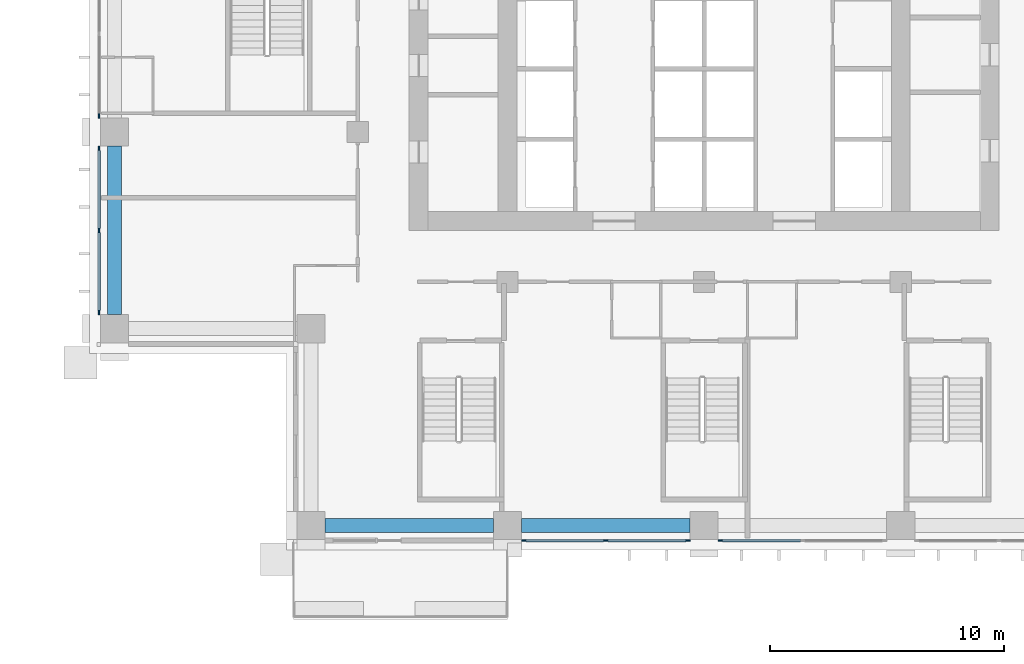
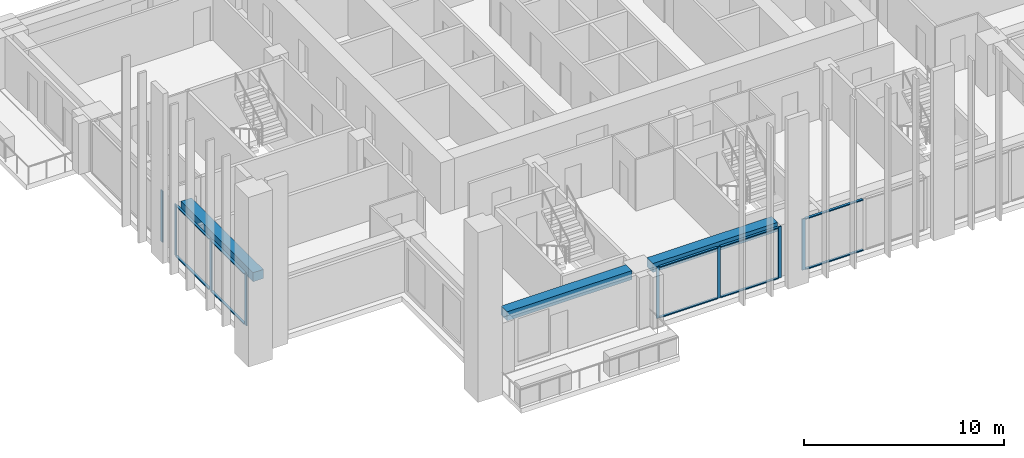
# One storey, part 2 of 18: 18 members, 3 beams, 4 elements without a shape of their own.
"""IFC4 building model written with IfcOpenShell, lengths in metres."""

from ifc_helpers import new_model, si_unit, direction, frame, origin, origin_2d, place, context, subcontext, project, spatial, rectangle, extrude, material, material_profile, profile_set, type_object, element, aggregate, save


model = new_model("IFC4")

# Units and contexts
model_context = context("Model", 3, precision=1e-05, world=origin(), true_north=direction((0.0, 1.0)))
body_context = subcontext(model_context, "Body", "Model", "MODEL_VIEW")
ifc_project = project(units=[si_unit("LENGTHUNIT", "METRE"), si_unit("AREAUNIT", "SQUARE_METRE"), si_unit("VOLUMEUNIT", "CUBIC_METRE"), si_unit("PLANEANGLEUNIT", "RADIAN"), si_unit("MASSUNIT", "GRAM", prefix="KILO")], contexts=[model_context])

# Site, building, storey
site_placement = place(None, origin())
site = spatial("IfcSite", under=ifc_project, at=site_placement, CompositionType="ELEMENT")
building_placement = place(site_placement, origin())
building = spatial("IfcBuilding", under=site, at=building_placement, Name="Vermilion Ogive Tower", CompositionType="ELEMENT")
storey_placement = place(building_placement, frame((0.0, 0.0, 80.39990234375)))
storey = spatial("IfcBuildingStorey", under=building, at=storey_placement, Name="L19", CompositionType="ELEMENT", Elevation=80.39990234375)

# Curtain wall, members
ifc_material_1 = material(Name="Low-iron laminated glazing in aluminium frame", Category="aluminium")
curtain_wall_type = type_object("IfcCurtainWallType", Name="Curtain wall CW7", PredefinedType="NOTDEFINED", material=ifc_material_1)
curtain_wall_1_placement = place(storey_placement, origin())
curtain_wall_1 = element("IfcCurtainWall", 1, at=curtain_wall_1_placement, inside=storey, type_object=curtain_wall_type, Name="Glazed skin S2", PredefinedType="NOTDEFINED")
ifc_material_2 = material(Name="Aluminium mullion", Category="aluminium")
ifc_material_profile_1 = material_profile(ifc_material_2, rectangle(XDim=0.06005859375, YDim=0.179931640625, at=origin_2d()), Name="AL 60x180")
ifc_profile_set_1 = profile_set([ifc_material_profile_1], Name="Aluminium mullion")
member_type_1 = type_object("IfcMemberType", Name="CW7 mullion 60x180", PredefinedType="MULLION", material=ifc_profile_set_1)
member_1_placement = place(storey_placement, frame((-7.7099609375, -21.64990234375, 0.0), z_axis=(0.0, 0.0, 1.0), x_axis=(0.0, 1.0, 0.0)))
member_1 = element("IfcMember", 2, at=member_1_placement, type_object=member_type_1, Name="CW7-S2 mullion 1", PredefinedType="MULLION", context=body_context, shape_type="SweptSolid", body=[
    extrude(rectangle(XDim=0.06005859375, YDim=0.179931640625, at=origin_2d()), origin(), (0.0, 0.0, 1.0), 3.130126953125),
])
member_2_placement = place(storey_placement, frame((-4.199951171875, -21.64990234375, 0.0), z_axis=(0.0, 0.0, 1.0), x_axis=(0.0, 1.0, 0.0)))
member_2 = element("IfcMember", 3, at=member_2_placement, type_object=member_type_1, Name="CW7-S2 mullion 2", PredefinedType="MULLION", context=body_context, shape_type="SweptSolid", body=[
    extrude(rectangle(XDim=0.06005859375, YDim=0.179931640625, at=origin_2d()), origin(), (0.0, 0.0, 1.0), 3.130126953125),
])
member_3_placement = place(storey_placement, frame((-0.68994140625, -21.64990234375, 0.0), z_axis=(0.0, 0.0, 1.0), x_axis=(0.0, 1.0, 0.0)))
member_3 = element("IfcMember", 4, at=member_3_placement, type_object=member_type_1, Name="CW7-S2 mullion 3", PredefinedType="MULLION", context=body_context, shape_type="SweptSolid", body=[
    extrude(rectangle(XDim=0.06005859375, YDim=0.179931640625, at=origin_2d()), origin(), (0.0, 0.0, 1.0), 3.130126953125),
])

# Curtain wall, member
curtain_wall_2_placement = place(storey_placement, origin())
curtain_wall_2 = element("IfcCurtainWall", 5, at=curtain_wall_2_placement, inside=storey, type_object=curtain_wall_type, Name="Glazed skin S3", PredefinedType="NOTDEFINED")
member_4_placement = place(storey_placement, frame((0.68994140625, -21.64990234375, 0.0), z_axis=(0.0, 0.0, 1.0), x_axis=(0.0, 1.0, 0.0)))
member_4 = element("IfcMember", 6, at=member_4_placement, type_object=member_type_1, Name="CW7-S3 mullion 1", PredefinedType="MULLION", context=body_context, shape_type="SweptSolid", body=[
    extrude(rectangle(XDim=0.06005859375, YDim=0.179931640625, at=origin_2d()), origin(), (0.0, 0.0, 1.0), 3.130126953125),
])

curtain_wall_3_placement = place(storey_placement, origin())
curtain_wall_3 = element("IfcCurtainWall", 7, at=curtain_wall_3_placement, inside=storey, type_object=curtain_wall_type, Name="Glazed skin W2", PredefinedType="NOTDEFINED")
member_5_placement = place(storey_placement, frame((-25.85009765625, -3.510009765625, 0.0), z_axis=(0.0, 0.0, 1.0), x_axis=(1.0, 0.0, 0.0)))
member_5 = element("IfcMember", 8, at=member_5_placement, type_object=member_type_1, Name="CW7-W2 mullion 3", PredefinedType="MULLION", context=body_context, shape_type="SweptSolid", body=[
    extrude(rectangle(XDim=0.06005859375, YDim=0.179931640625, at=origin_2d()), origin(), (0.0, 0.0, 1.0), 3.130126953125),
])
aggregate(curtain_wall_3, [member_5])

# Curtain wall, members
curtain_wall_4_placement = place(storey_placement, origin())
curtain_wall_4 = element("IfcCurtainWall", 9, at=curtain_wall_4_placement, inside=storey, type_object=curtain_wall_type, Name="Glazed skin W3", PredefinedType="NOTDEFINED")
member_6_placement = place(storey_placement, frame((-25.85009765625, -4.889892578125, 0.0), z_axis=(0.0, 0.0, 1.0), x_axis=(1.0, 0.0, 0.0)))
member_6 = element("IfcMember", 10, at=member_6_placement, type_object=member_type_1, Name="CW7-W3 mullion 1", PredefinedType="MULLION", context=body_context, shape_type="SweptSolid", body=[
    extrude(rectangle(XDim=0.06005859375, YDim=0.179931640625, at=origin_2d()), origin(), (0.0, 0.0, 1.0), 3.130126953125),
])
member_7_placement = place(storey_placement, frame((-25.85009765625, -8.39990234375, 0.0), z_axis=(0.0, 0.0, 1.0), x_axis=(1.0, 0.0, 0.0)))
member_7 = element("IfcMember", 11, at=member_7_placement, type_object=member_type_1, Name="CW7-W3 mullion 2", PredefinedType="MULLION", context=body_context, shape_type="SweptSolid", body=[
    extrude(rectangle(XDim=0.06005859375, YDim=0.179931640625, at=origin_2d()), origin(), (0.0, 0.0, 1.0), 3.130126953125),
])
member_8_placement = place(storey_placement, frame((-25.85009765625, -11.909912109375, 0.0), z_axis=(0.0, 0.0, 1.0), x_axis=(1.0, 0.0, 0.0)))
member_8 = element("IfcMember", 12, at=member_8_placement, type_object=member_type_1, Name="CW7-W3 mullion 3", PredefinedType="MULLION", context=body_context, shape_type="SweptSolid", body=[
    extrude(rectangle(XDim=0.06005859375, YDim=0.179931640625, at=origin_2d()), origin(), (0.0, 0.0, 1.0), 3.130126953125),
])

# Member
ifc_material_3 = material(Name="Aluminium transom", Category="aluminium")
ifc_material_profile_2 = material_profile(ifc_material_3, rectangle(XDim=0.139892578125, YDim=0.06005859375, at=origin_2d()), Name="AL 60x140")
ifc_profile_set_2 = profile_set([ifc_material_profile_2], Name="Aluminium transom")
member_type_2 = type_object("IfcMemberType", Name="CW7 transom 60x140", PredefinedType="USERDEFINED", material=ifc_profile_set_2)
member_9_placement = place(storey_placement, frame((-7.6201171875, -21.64990234375, 0.030029296875), z_axis=(1.0, 0.0, 0.0), x_axis=(0.0, 1.0, 0.0)))
member_9 = element("IfcMember", 13, at=member_9_placement, type_object=member_type_2, Name="CW7-S2 transom 1.1", ObjectType="TRANSOM", PredefinedType="USERDEFINED", context=body_context, shape_type="SweptSolid", body=[
    extrude(rectangle(XDim=0.139892578125, YDim=0.06005859375, at=origin_2d()), origin(), (0.0, 0.0, 1.0), 3.330078125),
])

member_10_placement = place(storey_placement, frame((-7.6201171875, -21.64990234375, 3.10009765625), z_axis=(1.0, 0.0, 0.0), x_axis=(0.0, 1.0, 0.0)))
member_10 = element("IfcMember", 14, at=member_10_placement, type_object=member_type_2, Name="CW7-S2 transom 1.2", ObjectType="TRANSOM", PredefinedType="USERDEFINED", context=body_context, shape_type="SweptSolid", body=[
    extrude(rectangle(XDim=0.139892578125, YDim=0.06005859375, at=origin_2d()), origin(), (0.0, 0.0, 1.0), 3.330078125),
])

member_11_placement = place(storey_placement, frame((-4.110107421875, -21.64990234375, 0.030029296875), z_axis=(1.0, 0.0, 0.0), x_axis=(0.0, 1.0, 0.0)))
member_11 = element("IfcMember", 15, at=member_11_placement, type_object=member_type_2, Name="CW7-S2 transom 2.1", ObjectType="TRANSOM", PredefinedType="USERDEFINED", context=body_context, shape_type="SweptSolid", body=[
    extrude(rectangle(XDim=0.139892578125, YDim=0.06005859375, at=origin_2d()), origin(), (0.0, 0.0, 1.0), 3.330078125),
])

member_12_placement = place(storey_placement, frame((-4.110107421875, -21.64990234375, 3.10009765625), z_axis=(1.0, 0.0, 0.0), x_axis=(0.0, 1.0, 0.0)))
member_12 = element("IfcMember", 16, at=member_12_placement, type_object=member_type_2, Name="CW7-S2 transom 2.2", ObjectType="TRANSOM", PredefinedType="USERDEFINED", context=body_context, shape_type="SweptSolid", body=[
    extrude(rectangle(XDim=0.139892578125, YDim=0.06005859375, at=origin_2d()), origin(), (0.0, 0.0, 1.0), 3.330078125),
])

aggregate(curtain_wall_1, [member_1, member_2, member_3, member_9, member_10, member_11, member_12])

member_13_placement = place(storey_placement, frame((0.780029296875, -21.64990234375, 0.030029296875), z_axis=(1.0, 0.0, 0.0), x_axis=(0.0, 1.0, 0.0)))
member_13 = element("IfcMember", 17, at=member_13_placement, type_object=member_type_2, Name="CW7-S3 transom 1.1", ObjectType="TRANSOM", PredefinedType="USERDEFINED", context=body_context, shape_type="SweptSolid", body=[
    extrude(rectangle(XDim=0.139892578125, YDim=0.06005859375, at=origin_2d()), origin(), (0.0, 0.0, 1.0), 3.330078125),
])

member_14_placement = place(storey_placement, frame((0.780029296875, -21.64990234375, 3.10009765625), z_axis=(1.0, 0.0, 0.0), x_axis=(0.0, 1.0, 0.0)))
member_14 = element("IfcMember", 18, at=member_14_placement, type_object=member_type_2, Name="CW7-S3 transom 1.2", ObjectType="TRANSOM", PredefinedType="USERDEFINED", context=body_context, shape_type="SweptSolid", body=[
    extrude(rectangle(XDim=0.139892578125, YDim=0.06005859375, at=origin_2d()), origin(), (0.0, 0.0, 1.0), 3.330078125),
])

aggregate(curtain_wall_2, [member_4, member_13, member_14])

member_15_placement = place(storey_placement, frame((-25.85009765625, -4.97998046875, 0.030029296875), z_axis=(0.0, -1.0, 0.0), x_axis=(1.0, 0.0, 0.0)))
member_15 = element("IfcMember", 19, at=member_15_placement, type_object=member_type_2, Name="CW7-W3 transom 1.1", ObjectType="TRANSOM", PredefinedType="USERDEFINED", context=body_context, shape_type="SweptSolid", body=[
    extrude(rectangle(XDim=0.139892578125, YDim=0.06005859375, at=origin_2d()), origin(), (0.0, 0.0, 1.0), 3.330078125),
])

member_16_placement = place(storey_placement, frame((-25.85009765625, -4.97998046875, 3.10009765625), z_axis=(0.0, -1.0, 0.0), x_axis=(1.0, 0.0, 0.0)))
member_16 = element("IfcMember", 20, at=member_16_placement, type_object=member_type_2, Name="CW7-W3 transom 1.2", ObjectType="TRANSOM", PredefinedType="USERDEFINED", context=body_context, shape_type="SweptSolid", body=[
    extrude(rectangle(XDim=0.139892578125, YDim=0.06005859375, at=origin_2d()), origin(), (0.0, 0.0, 1.0), 3.330078125),
])

member_17_placement = place(storey_placement, frame((-25.85009765625, -8.489990234375, 0.030029296875), z_axis=(0.0, -1.0, 0.0), x_axis=(1.0, 0.0, 0.0)))
member_17 = element("IfcMember", 21, at=member_17_placement, type_object=member_type_2, Name="CW7-W3 transom 2.1", ObjectType="TRANSOM", PredefinedType="USERDEFINED", context=body_context, shape_type="SweptSolid", body=[
    extrude(rectangle(XDim=0.139892578125, YDim=0.06005859375, at=origin_2d()), origin(), (0.0, 0.0, 1.0), 3.330078125),
])

member_18_placement = place(storey_placement, frame((-25.85009765625, -8.489990234375, 3.10009765625), z_axis=(0.0, -1.0, 0.0), x_axis=(1.0, 0.0, 0.0)))
member_18 = element("IfcMember", 22, at=member_18_placement, type_object=member_type_2, Name="CW7-W3 transom 2.2", ObjectType="TRANSOM", PredefinedType="USERDEFINED", context=body_context, shape_type="SweptSolid", body=[
    extrude(rectangle(XDim=0.139892578125, YDim=0.06005859375, at=origin_2d()), origin(), (0.0, 0.0, 1.0), 3.330078125),
])

aggregate(curtain_wall_4, [member_6, member_7, member_8, member_15, member_16, member_17, member_18])

# Beams
ifc_material_4 = material(Name="Concrete B45", Category="concrete")
ifc_material_profile_3 = material_profile(ifc_material_4, rectangle(XDim=0.60009765625, YDim=0.550048828125, at=origin_2d()), Name="600 x 550")
ifc_profile_set_3 = profile_set([ifc_material_profile_3], Name="Concrete B45")
beam_type = type_object("IfcBeamType", Name="Edge beam 600 x 550 B45", PredefinedType="BEAM", material=ifc_profile_set_3)
for number, where, z_axis, x_axis, name in (
    (23, (-16.199951171875, -21.0, 2.85498046875), (1.0, 0.0, 0.0), (0.0, 1.0, 0.0), "L19-EB-1"),
    (24, (-7.800048828125, -21.0, 2.85498046875), (1.0, 0.0, 0.0), (0.0, 1.0, 0.0), "L19-EB-2"),
    (25, (-25.199951171875, -4.800048828125, 2.85498046875), (0.0, -1.0, 0.0), (1.0, 0.0, 0.0), "L19-EB-16"),
):
    element("IfcBeam", number, at=place(storey_placement, frame(where, z_axis=z_axis, x_axis=x_axis)), inside=storey, type_object=beam_type, Name=name, PredefinedType="BEAM", context=body_context, shape_type="SweptSolid", body=[
        extrude(rectangle(XDim=0.60009765625, YDim=0.550048828125, at=origin_2d()), origin(), (0.0, 0.0, 1.0), 7.199951171875),
    ])

save(model, "model.ifc")
